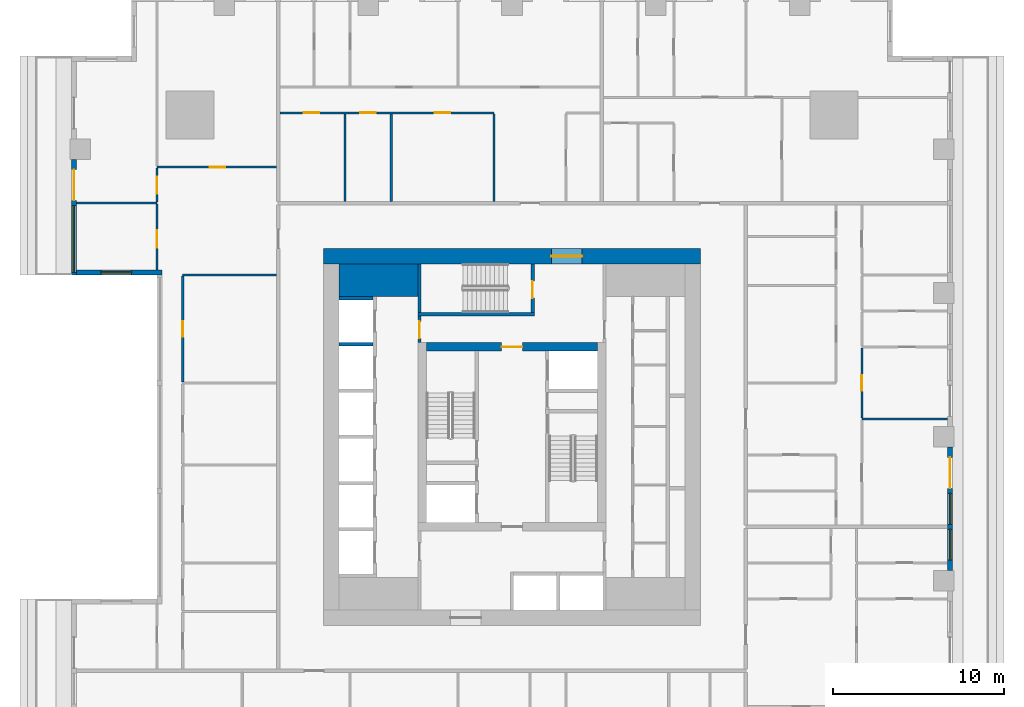
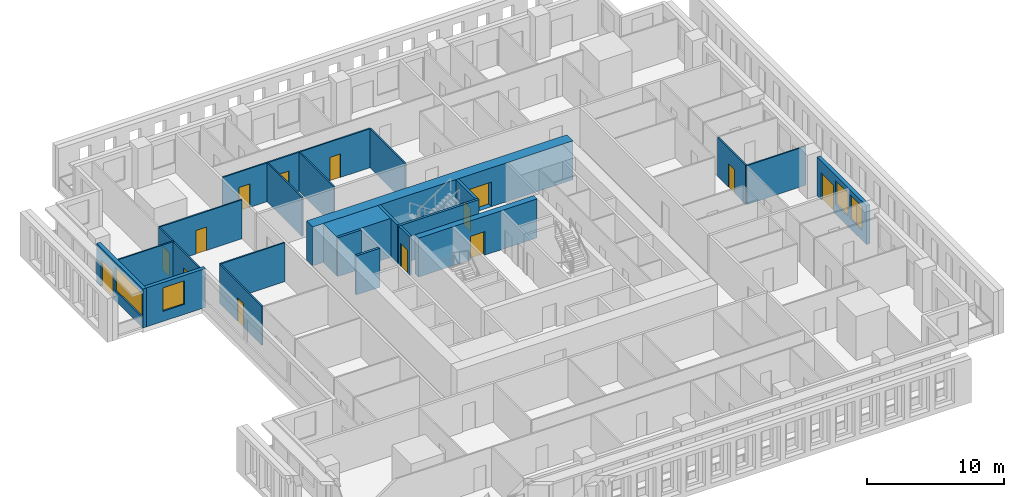
# One storey, part 6 of 14: 24 walls, 14 doors, 4 windows, 18 openings.
"""IFC4 building model written with IfcOpenShell, lengths in metres."""

import ifcopenshell
import ifcopenshell.guid

model = None  # the IFC model being written
_history = None  # IfcOwnerHistory: only IFC2X3 demands one
_inside = {}  # id of a spatial element -> (the spatial element, [elements in it])
_under = {}  # id of a project, library or spatial element -> (it, [spatial elements below it])
_declared = {}  # id of a project -> (the project, [libraries it declares])
_typed = {}  # id of a type object -> (the type object, [elements of that type])
_made_of = {}  # id of a material, layer set ... -> (it, [elements and type objects made of it])


def new_model(schema):
    """Start an empty IFC model of exactly this schema.

    Asked for "IFC4X3", IfcOpenShell would pick the latest addendum, in which some entities
    have other attributes; the version numbers below select the first issue.
    IFC2X3 requires an IfcOwnerHistory on every rooted entity: one is made here for all.
    """
    global model, _history
    if schema == "IFC4X3":
        model = ifcopenshell.file(schema_version=(4, 3, 0, 0))
    else:
        model = ifcopenshell.file(schema=schema)
    _inside.clear()
    _under.clear()
    _declared.clear()
    _typed.clear()
    _made_of.clear()
    _history = None
    if model.schema == "IFC2X3":
        org = make("IfcOrganization", Name="unknown")
        user = make(
            "IfcPersonAndOrganization",
            ThePerson=make("IfcPerson", FamilyName="unknown"),
            TheOrganization=org,
        )
        app = make(
            "IfcApplication",
            ApplicationDeveloper=org,
            Version="unknown",
            ApplicationFullName="unknown",
            ApplicationIdentifier="unknown",
        )
        _history = make(
            "IfcOwnerHistory",
            OwningUser=user,
            OwningApplication=app,
            ChangeAction="ADDED",
            CreationDate=0,
        )
    return model


def make(cls, **values):
    """One entity of the class cls with the attributes given. An attribute that is None is left unset."""
    return model.create_entity(
        cls, **{name: value for name, value in values.items() if value is not None}
    )


def rooted(cls, **values):
    """An entity with a GlobalId (a new one), such as an element, a storey or a relation."""
    return make(cls, GlobalId=ifcopenshell.guid.new(), OwnerHistory=_history, **values)


def si_unit(unit_type, name, prefix=None):
    """IfcSIUnit, for example si_unit("LENGTHUNIT", "METRE", prefix="MILLI")."""
    return make("IfcSIUnit", UnitType=unit_type, Prefix=prefix, Name=name)


def assignment(units):
    """IfcUnitAssignment: the units of a project."""
    return None if units is None else make("IfcUnitAssignment", Units=units)


def point(xyz):
    """IfcCartesianPoint."""
    return None if xyz is None else make("IfcCartesianPoint", Coordinates=xyz)


def direction(xyz):
    """IfcDirection."""
    return None if xyz is None else make("IfcDirection", DirectionRatios=xyz)


def frame(location, z_axis=None, x_axis=None):
    """IfcAxis2Placement3D, a coordinate frame: its origin and axes. An axis left out is left unset."""
    return make(
        "IfcAxis2Placement3D",
        Location=point(location),
        Axis=direction(z_axis),
        RefDirection=direction(x_axis),
    )


def frame_2d(location, x_axis=None):
    """IfcAxis2Placement2D, a coordinate frame in the plane: its origin and x axis."""
    return make(
        "IfcAxis2Placement2D", Location=point(location), RefDirection=direction(x_axis)
    )


def origin():
    """The frame at (0, 0, 0) with its axes left unset."""
    return frame((0.0, 0.0, 0.0))


def place(relative_to, where):
    """IfcLocalPlacement: puts the frame where relative to a parent placement (None: the world)."""
    return make(
        "IfcLocalPlacement", PlacementRelTo=relative_to, RelativePlacement=where
    )


def context(
    kind, dimensions, precision=None, world=None, true_north=None, identifier=None
):
    """IfcGeometricRepresentationContext, for example the 3D "Model" context."""
    return make(
        "IfcGeometricRepresentationContext",
        ContextIdentifier=identifier,
        ContextType=kind,
        CoordinateSpaceDimension=dimensions,
        Precision=precision,
        WorldCoordinateSystem=world,
        TrueNorth=true_north,
    )


def subcontext(parent, identifier, kind, view, scale=None):
    """IfcGeometricRepresentationSubContext, for example "Body" below "Model"."""
    return make(
        "IfcGeometricRepresentationSubContext",
        ContextIdentifier=identifier,
        ContextType=kind,
        ParentContext=parent,
        TargetScale=scale,
        TargetView=view,
    )


def project(units=None, contexts=None):
    """IfcProject with its units and contexts."""
    return rooted(
        "IfcProject",
        Name="project",
        RepresentationContexts=contexts,
        UnitsInContext=assignment(units),
    )


def spatial(cls, under=None, at=None, **own):
    """A site, building, storey or space (cls), placed at a placement, below another one or the project."""
    s = rooted(cls, ObjectPlacement=at, **own)
    if under is not None:
        _under.setdefault(under.id(), (under, []))[1].append(s)
    return s


def profile(cls, at=None, kind="AREA", **sizes):
    """A parametric profile (cls). Its sizes go by their IFC names, for example OverallWidth=200.0."""
    return make(cls, ProfileType=kind, Position=at, **sizes)


def rectangle(**sizes):
    """IfcRectangleProfileDef."""
    return profile("IfcRectangleProfileDef", **sizes)


def extrude(swept, where, along, depth):
    """IfcExtrudedAreaSolid: the profile swept, set in the frame where, extruded along a direction by depth."""
    return make(
        "IfcExtrudedAreaSolid",
        SweptArea=swept,
        Position=where,
        ExtrudedDirection=direction(along),
        Depth=depth,
    )


def shape(context_of_items, identifier, shape_type, items):
    """IfcShapeRepresentation: the items that make up one representation, for example the "Body"."""
    return make(
        "IfcShapeRepresentation",
        ContextOfItems=context_of_items,
        RepresentationIdentifier=identifier,
        RepresentationType=shape_type,
        Items=items,
    )


def material(Name=None, Category=None):
    """IfcMaterial."""
    return make("IfcMaterial", Name=Name, Category=Category)


def layer(
    of_material, thickness, ventilated=None, Name=None, Category=None, Priority=None
):
    """IfcMaterialLayer: one layer of a wall or slab, of a material (None: an air gap)."""
    return make(
        "IfcMaterialLayer",
        Material=of_material,
        LayerThickness=thickness,
        IsVentilated=ventilated,
        Name=Name,
        Category=Category,
        Priority=Priority,
    )


def layer_set(layers, Name=None):
    """IfcMaterialLayerSet."""
    return make("IfcMaterialLayerSet", MaterialLayers=layers, LayerSetName=Name)


def made_of(thing, what):
    """Note that an element or type object is made of a material, layer set ...; save() writes the relation."""
    if what is not None:
        _made_of.setdefault(what.id(), (what, []))[1].append(thing)
    return thing


def type_object(cls, material=None, **own):
    """A type object (cls), such as IfcWallType, which elements share."""
    return made_of(rooted(cls, **own), material)


def element(
    cls,
    number,
    at=None,
    inside=None,
    cuts=None,
    type_object=None,
    material=None,
    context=None,
    identifier="Body",
    shape_type=None,
    held_by="IfcProductDefinitionShape",
    body=None,
    shapes=None,
    **own,
):
    """One element of the class cls, such as IfcWall. Its Tag is "e" and its number.

    at: its placement. inside: the storey or other place that contains it. cuts: it is an
    opening in that element (IfcRelVoidsElement). A single representation is given by context,
    identifier, shape_type and body (its items); several are given by shapes. held_by: the class
    of the entity that holds the representations. save() writes the other relations.
    """
    e = rooted(cls, Tag="e%d" % number, ObjectPlacement=at, **own)
    if body is not None:
        shapes = [shape(context, identifier, shape_type, body)]
    if shapes is not None:
        e.Representation = make(held_by, Representations=shapes)
    if inside is not None:
        _inside.setdefault(inside.id(), (inside, []))[1].append(e)
    if cuts is not None:
        rooted(
            "IfcRelVoidsElement", RelatingBuildingElement=cuts, RelatedOpeningElement=e
        )
    if type_object is not None:
        _typed.setdefault(type_object.id(), (type_object, []))[1].append(e)
    return made_of(e, material)


def fill(opening, filler):
    """IfcRelFillsElement: the door or window that sits in an opening."""
    return rooted(
        "IfcRelFillsElement",
        RelatingOpeningElement=opening,
        RelatedBuildingElement=filler,
    )


def aggregate(whole, parts):
    """IfcRelAggregates: a whole, such as a stair, and the parts it consists of."""
    return rooted("IfcRelAggregates", RelatingObject=whole, RelatedObjects=parts)


def save(model, path):
    """Write the relations noted so far, then the file.

    IfcRelAggregates (storeys below a building ...), IfcRelContainedInSpatialStructure (elements
    in a storey), IfcRelDefinesByType, IfcRelAssociatesMaterial and IfcRelDeclares: one each for
    every whole, place, type object, material and project.
    """
    for whole, parts in _under.values():
        aggregate(whole, parts)
    for where, things in _inside.values():
        rooted(
            "IfcRelContainedInSpatialStructure",
            RelatedElements=things,
            RelatingStructure=where,
        )
    for kind, things in _typed.values():
        rooted("IfcRelDefinesByType", RelatedObjects=things, RelatingType=kind)
    for what, things in _made_of.values():
        rooted("IfcRelAssociatesMaterial", RelatedObjects=things, RelatingMaterial=what)
    for by, libraries in _declared.values():
        rooted("IfcRelDeclares", RelatingContext=by, RelatedDefinitions=libraries)
    model.write(path)


model = new_model("IFC4")

# Units and contexts
model_context = context("Model", 3, precision=1e-05, world=origin(), true_north=direction((0.0, 1.0)))
body_context = subcontext(model_context, "Body", "Model", "MODEL_VIEW")
ifc_project = project(units=[si_unit("LENGTHUNIT", "METRE"), si_unit("AREAUNIT", "SQUARE_METRE"), si_unit("VOLUMEUNIT", "CUBIC_METRE"), si_unit("PLANEANGLEUNIT", "RADIAN"), si_unit("MASSUNIT", "GRAM", prefix="KILO")], contexts=[model_context])

# Site, building, storey
site_placement = place(None, origin())
site = spatial("IfcSite", under=ifc_project, at=site_placement, CompositionType="ELEMENT")
building_placement = place(site_placement, origin())
building = spatial("IfcBuilding", under=site, at=building_placement, Name="Khepri Terraces", CompositionType="ELEMENT")
storey_placement = place(building_placement, frame((0.0, 0.0, 106.5)))
storey = spatial("IfcBuildingStorey", under=building, at=storey_placement, Name="L25", CompositionType="ELEMENT", Elevation=106.5)

# Walls
ifc_material_1 = material(Name="Concrete C70/85", Category="concrete")
ifc_layer_1 = layer(ifc_material_1, 1.89990234375, Name="Concrete C70/85", Category="concrete")
ifc_layer_set_1 = layer_set([ifc_layer_1], Name="Concrete C70/85")
wall_type_1 = type_object("IfcWallType", Name="Core wall 1900 C70/85", PredefinedType="SHEAR", material=ifc_layer_set_1)
wall_1_placement = place(storey_placement, frame((-10.10009765625, 9.14990234375, 0.0), z_axis=(0.0, 0.0, 1.0), x_axis=(1.0, 0.0, 0.0)))
element("IfcWall", 1, at=wall_1_placement, inside=storey, type_object=wall_type_1, Name="Core wall PR03 L25", PredefinedType="SHEAR", context=body_context, shape_type="SweptSolid", body=[
    extrude(rectangle(XDim=4.60009765625, YDim=1.89990234375, at=frame_2d((2.300048828125, 0.0))), origin(), (0.0, 0.0, 1.0), 3.47998046875),
])
ifc_layer_2 = layer(ifc_material_1, 0.199951171875, Name="Concrete C70/85", Category="concrete")
ifc_layer_set_2 = layer_set([ifc_layer_2], Name="Concrete C70/85")
wall_type_2 = type_object("IfcWallType", Name="Core wall 200 C70/85", PredefinedType="SHEAR", material=ifc_layer_set_2)
wall_2_placement = place(storey_placement, frame((-5.5, 7.14990234375, 0.0), z_axis=(0.0, 0.0, 1.0), x_axis=(1.0, 0.0, 0.0)))
element("IfcWall", 2, at=wall_2_placement, inside=storey, type_object=wall_type_2, Name="Core wall ST05 L25", PredefinedType="SHEAR", context=body_context, shape_type="SweptSolid", body=[
    extrude(rectangle(XDim=6.800048828125, YDim=0.199951171875, at=frame_2d((3.39990234375, 0.0))), origin(), (0.0, 0.0, 1.0), 3.47998046875),
])
wall_3_placement = place(storey_placement, frame((-5.39990234375, 7.25, 0.0), z_axis=(0.0, 0.0, 1.0), x_axis=(0.0, 1.0, 0.0)))
element("IfcWall", 3, at=wall_3_placement, inside=storey, type_object=wall_type_2, Name="Core wall ST06 L25", PredefinedType="SHEAR", context=body_context, shape_type="SweptSolid", body=[
    extrude(rectangle(XDim=2.85009765625, YDim=0.199951171875, at=frame_2d((1.425048828125, 0.0))), origin(), (0.0, 0.0, 1.0), 3.47998046875),
])

# Wall, opening, door
wall_4_placement = place(storey_placement, frame((1.199951171875, 7.25, 0.0), z_axis=(0.0, 0.0, 1.0), x_axis=(0.0, 1.0, 0.0)))
wall_4 = element("IfcWall", 4, at=wall_4_placement, inside=storey, type_object=wall_type_2, Name="Core wall ST07 L25", PredefinedType="SHEAR", context=body_context, shape_type="SweptSolid", body=[
    extrude(rectangle(XDim=2.85009765625, YDim=0.199951171875, at=frame_2d((1.425048828125, 0.0))), origin(), (0.0, 0.0, 1.0), 3.47998046875),
])
opening_1_placement = place(wall_4_placement, frame((0.85009765625, 0.0, 0.0)))
opening_1 = element("IfcOpeningElement", 5, at=opening_1_placement, cuts=wall_4, Name="Opening L25-C15", PredefinedType="OPENING", context=body_context, shape_type="SweptSolid", body=[
    extrude(rectangle(XDim=1.0, YDim=2.10009765625, at=frame_2d((0.5, 1.050048828125))), frame((0.0, 0.10986328125, 0.0), z_axis=(0.0, -1.0, 0.0), x_axis=(1.0, 0.0, 0.0)), (0.0, 0.0, 1.0), 0.219970703125),
])
ifc_material_2 = material(Name="Painted steel", Category="steel")
door_type_1 = type_object("IfcDoorType", Name="DR-CORE-STAIR-1000", OperationType="NOTDEFINED", PredefinedType="DOOR", material=ifc_material_2)
door_1_placement = place(opening_1_placement, origin())
door_1 = element("IfcDoor", 6, at=door_1_placement, inside=storey, type_object=door_type_1, Name="Stair door L25-C15", OperationType="SINGLE_SWING_LEFT", OverallHeight=2.10009765625, OverallWidth=1.0, PredefinedType="DOOR", context=body_context, shape_type="SweptSolid", body=[
    extrude(rectangle(XDim=1.0, YDim=2.10009765625, at=frame_2d((0.5, 1.050048828125))), frame((0.0, 0.02490234375, 0.0), z_axis=(0.0, -1.0, 0.0), x_axis=(1.0, 0.0, 0.0)), (0.0, 0.0, 1.0), 0.050048828125),
])
fill(opening_1, door_1)

# Walls
for number, where, z_axis, x_axis, name in (
    (7, (-10.10009765625, 5.39990234375, 0.0), (0.0, 0.0, 1.0), (1.0, 0.0, 0.0), "Core wall SH19 L25"),
    (8, (-10.10009765625, 8.10009765625, 0.0), (0.0, 0.0, 1.0), (1.0, 0.0, 0.0), "Core wall SH20 L25"),
):
    element("IfcWall", number, at=place(storey_placement, frame(where, z_axis=z_axis, x_axis=x_axis)), inside=storey, type_object=wall_type_2, Name=name, PredefinedType="SHEAR", context=body_context, shape_type="SweptSolid", body=[
        extrude(rectangle(XDim=2.0, YDim=0.199951171875, at=frame_2d((1.0, 0.0))), origin(), (0.0, 0.0, 1.0), 3.47998046875),
    ])

# Wall, opening, door
ifc_layer_3 = layer(ifc_material_1, 0.5, Name="Concrete C70/85", Category="concrete")
ifc_layer_set_3 = layer_set([ifc_layer_3], Name="Concrete C70/85")
wall_type_3 = type_object("IfcWallType", Name="Core wall 500 C70/85", PredefinedType="SHEAR", material=ifc_layer_set_3)
wall_5_placement = place(storey_placement, frame((-5.0, 5.25, 0.0), z_axis=(0.0, 0.0, 1.0), x_axis=(1.0, 0.0, 0.0)))
wall_5 = element("IfcWall", 9, at=wall_5_placement, inside=storey, type_object=wall_type_3, Name="Core wall BX04 L25", PredefinedType="SHEAR", context=body_context, shape_type="SweptSolid", body=[
    extrude(rectangle(XDim=10.0, YDim=0.5, at=frame_2d((5.0, 0.0))), origin(), (0.0, 0.0, 1.0), 3.47998046875),
])
opening_2_placement = place(wall_5_placement, frame((4.39990234375, 0.0, 0.0)))
opening_2 = element("IfcOpeningElement", 10, at=opening_2_placement, cuts=wall_5, Name="Opening L25-C13", PredefinedType="OPENING", context=body_context, shape_type="SweptSolid", body=[
    extrude(rectangle(XDim=1.199951171875, YDim=2.10009765625, at=frame_2d((0.60009765625, 1.050048828125))), frame((0.0, 0.260009765625, 0.0), z_axis=(0.0, -1.0, 0.0), x_axis=(1.0, 0.0, 0.0)), (0.0, 0.0, 1.0), 0.52001953125),
])
door_type_2 = type_object("IfcDoorType", Name="DR-CORE-FF-LOBBY-1200", OperationType="NOTDEFINED", PredefinedType="DOOR", material=ifc_material_2)
door_2_placement = place(opening_2_placement, frame((1.199951171875, 0.0, 0.0), z_axis=(0.0, 0.0, 1.0), x_axis=(-1.0, 0.0, 0.0)))
door_2 = element("IfcDoor", 11, at=door_2_placement, inside=storey, type_object=door_type_2, Name="Firefighting lobby door L25-C13", OperationType="SINGLE_SWING_LEFT", OverallHeight=2.10009765625, OverallWidth=1.199951171875, PredefinedType="DOOR", context=body_context, shape_type="SweptSolid", body=[
    extrude(rectangle(XDim=1.199951171875, YDim=2.10009765625, at=frame_2d((0.60009765625, 1.050048828125))), frame((0.0, 0.02490234375, 0.0), z_axis=(0.0, -1.0, 0.0), x_axis=(1.0, 0.0, 0.0)), (0.0, 0.0, 1.0), 0.050048828125),
])
fill(opening_2, door_2)

ifc_layer_4 = layer(ifc_material_1, 0.89990234375, Name="Concrete C70/85", Category="concrete")
ifc_layer_set_4 = layer_set([ifc_layer_4], Name="Concrete C70/85")
wall_type_4 = type_object("IfcWallType", Name="Core wall 900 C70/85", PredefinedType="SHEAR", material=ifc_layer_set_4)
wall_6_placement = place(storey_placement, frame((-11.0, 10.550048828125, 0.0), z_axis=(0.0, 0.0, 1.0), x_axis=(1.0, 0.0, 0.0)))
wall_6 = element("IfcWall", 12, at=wall_6_placement, inside=storey, type_object=wall_type_4, Name="Core wall OW-N L25", PredefinedType="SHEAR", context=body_context, shape_type="SweptSolid", body=[
    extrude(rectangle(XDim=22.0, YDim=0.89990234375, at=frame_2d((11.0, 0.0))), origin(), (0.0, 0.0, 1.0), 3.47998046875),
])
opening_3_placement = place(wall_6_placement, frame((13.300048828125, 0.0, 0.0)))
opening_3 = element("IfcOpeningElement", 13, at=opening_3_placement, cuts=wall_6, Name="Opening L25-C20", PredefinedType="OPENING", context=body_context, shape_type="SweptSolid", body=[
    extrude(rectangle(XDim=1.800048828125, YDim=2.199951171875, at=frame_2d((0.89990234375, 1.10009765625))), frame((0.0, 0.4599609375, 0.0), z_axis=(0.0, -1.0, 0.0), x_axis=(1.0, 0.0, 0.0)), (0.0, 0.0, 1.0), 0.919921875),
])
door_type_3 = type_object("IfcDoorType", Name="DR-CORE-ENTRANCE-1800", OperationType="NOTDEFINED", PredefinedType="DOOR", material=ifc_material_2)
door_3_placement = place(opening_3_placement, origin())
door_3 = element("IfcDoor", 14, at=door_3_placement, inside=storey, type_object=door_type_3, Name="Core entrance door pair L25-C20", OperationType="DOUBLE_DOOR_SINGLE_SWING", OverallHeight=2.199951171875, OverallWidth=1.800048828125, PredefinedType="DOOR", context=body_context, shape_type="SweptSolid", body=[
    extrude(rectangle(XDim=1.800048828125, YDim=2.199951171875, at=frame_2d((0.89990234375, 1.10009765625))), frame((0.0, 0.02490234375, 0.0), z_axis=(0.0, -1.0, 0.0), x_axis=(1.0, 0.0, 0.0)), (0.0, 0.0, 1.0), 0.050048828125),
])
fill(opening_3, door_3)

ifc_material_3 = material(Name="Fire-rated gypsum board partition")
ifc_layer_5 = layer(ifc_material_3, 0.199951171875, Name="Fire-rated gypsum board partition")
ifc_layer_set_5 = layer_set([ifc_layer_5], Name="Fire-rated gypsum board partition")
wall_type_5 = type_object("IfcWallType", Name="WL-CORE-PART-200", PredefinedType="PARTITIONING", material=ifc_layer_set_5)
wall_7_placement = place(storey_placement, frame((-5.39990234375, 5.5, 0.0), z_axis=(0.0, 0.0, 1.0), x_axis=(0.0, 1.0, 0.0)))
wall_7 = element("IfcWall", 15, at=wall_7_placement, inside=storey, type_object=wall_type_5, Name="Core partition PT08 L25", PredefinedType="PARTITIONING", context=body_context, shape_type="SweptSolid", body=[
    extrude(rectangle(XDim=1.550048828125, YDim=0.199951171875, at=frame_2d((0.77490234375, 0.0))), origin(), (0.0, 0.0, 1.0), 3.47998046875),
])
opening_4_placement = place(wall_7_placement, frame((0.25, 0.0, 0.0)))
opening_4 = element("IfcOpeningElement", 16, at=opening_4_placement, cuts=wall_7, Name="Opening L25-C16", PredefinedType="OPENING", context=body_context, shape_type="SweptSolid", body=[
    extrude(rectangle(XDim=1.0, YDim=2.10009765625, at=frame_2d((0.5, 1.050048828125))), frame((0.0, 0.10986328125, 0.0), z_axis=(0.0, -1.0, 0.0), x_axis=(1.0, 0.0, 0.0)), (0.0, 0.0, 1.0), 0.219970703125),
])
door_type_4 = type_object("IfcDoorType", Name="DR-CORE-LOBBY-1000", OperationType="NOTDEFINED", PredefinedType="DOOR", material=ifc_material_2)
door_4_placement = place(opening_4_placement, frame((1.0, 0.0, 0.0), z_axis=(0.0, 0.0, 1.0), x_axis=(-1.0, 0.0, 0.0)))
door_4 = element("IfcDoor", 17, at=door_4_placement, inside=storey, type_object=door_type_4, Name="Lobby door L25-C16", OperationType="SINGLE_SWING_RIGHT", OverallHeight=2.10009765625, OverallWidth=1.0, PredefinedType="DOOR", context=body_context, shape_type="SweptSolid", body=[
    extrude(rectangle(XDim=1.0, YDim=2.10009765625, at=frame_2d((0.5, 1.050048828125))), frame((0.0, 0.02490234375, 0.0), z_axis=(0.0, -1.0, 0.0), x_axis=(1.0, 0.0, 0.0)), (0.0, 0.0, 1.0), 0.050048828125),
])
fill(opening_4, door_4)

# Wall, openings, door, windows
ifc_material_4 = material(Name="Precast concrete C50/60 warm stone", Category="masonry")
ifc_layer_6 = layer(ifc_material_4, 0.300048828125, Name="Precast concrete C50/60 warm stone", Category="masonry")
ifc_layer_set_6 = layer_set([ifc_layer_6], Name="Precast concrete C50/60 warm stone")
wall_type_6 = type_object("IfcWallType", Name="WL-EXT-PRECAST-300", PredefinedType="STANDARD", material=ifc_layer_set_6)
wall_8_placement = place(storey_placement, frame((25.570068359375, -7.800048828125, 0.0), z_axis=(0.0, 0.0, 1.0), x_axis=(0.0, 1.0, 0.0)))
wall_8 = element("IfcWall", 18, at=wall_8_placement, inside=storey, type_object=wall_type_6, Name="External wall L25 E", PredefinedType="STANDARD", context=body_context, shape_type="SweptSolid", body=[
    extrude(rectangle(XDim=7.199951171875, YDim=0.300048828125, at=frame_2d((3.60009765625, 0.0))), origin(), (0.0, 0.0, 1.0), 3.47998046875),
])
opening_5_placement = place(wall_8_placement, frame((0.60009765625, 0.0, 0.89990234375)))
opening_5 = element("IfcOpeningElement", 19, at=opening_5_placement, cuts=wall_8, Name="Opening W1", PredefinedType="OPENING", context=body_context, shape_type="SweptSolid", body=[
    extrude(rectangle(XDim=1.800048828125, YDim=2.10009765625, at=frame_2d((0.89990234375, 1.050048828125))), frame((0.0, 0.16015625, 0.0), z_axis=(0.0, -1.0, 0.0), x_axis=(1.0, 0.0, 0.0)), (0.0, 0.0, 1.0), 0.320068359375),
])
opening_6_placement = place(wall_8_placement, frame((2.699951171875, 0.0, 0.89990234375)))
opening_6 = element("IfcOpeningElement", 20, at=opening_6_placement, cuts=wall_8, Name="Opening W1", PredefinedType="OPENING", context=body_context, shape_type="SweptSolid", body=[
    extrude(rectangle(XDim=1.800048828125, YDim=2.10009765625, at=frame_2d((0.89990234375, 1.050048828125))), frame((0.0, 0.16015625, 0.0), z_axis=(0.0, -1.0, 0.0), x_axis=(1.0, 0.0, 0.0)), (0.0, 0.0, 1.0), 0.320068359375),
])
opening_7_placement = place(wall_8_placement, frame((4.800048828125, 0.0, 0.0)))
opening_7 = element("IfcOpeningElement", 21, at=opening_7_placement, cuts=wall_8, Name="Opening ED-L25-04", PredefinedType="OPENING", context=body_context, shape_type="SweptSolid", body=[
    extrude(rectangle(XDim=1.800048828125, YDim=2.39990234375, at=frame_2d((0.89990234375, 1.199951171875))), frame((0.0, 0.16015625, 0.0), z_axis=(0.0, -1.0, 0.0), x_axis=(1.0, 0.0, 0.0)), (0.0, 0.0, 1.0), 0.320068359375),
])
ifc_material_5 = material(Name="Anodised aluminium bronze glazed door", Category="aluminium")
door_type_5 = type_object("IfcDoorType", Name="DR-BAL-SLIDE-1800x2400", OperationType="NOTDEFINED", PredefinedType="DOOR", material=ifc_material_5)
door_5_placement = place(opening_7_placement, origin())
door_5 = element("IfcDoor", 22, at=door_5_placement, inside=storey, type_object=door_type_5, Name="Balcony door L25 E", OperationType="SLIDING_TO_RIGHT", OverallHeight=2.39990234375, OverallWidth=1.800048828125, PredefinedType="DOOR", context=body_context, shape_type="SweptSolid", body=[
    extrude(rectangle(XDim=1.800048828125, YDim=2.39990234375, at=frame_2d((0.89990234375, 1.199951171875))), frame((0.0, 0.02490234375, 0.0), z_axis=(0.0, -1.0, 0.0), x_axis=(1.0, 0.0, 0.0)), (0.0, 0.0, 1.0), 0.050048828125),
])
fill(opening_7, door_5)
ifc_material_6 = material(Name="Clear glass", Category="glass")
window_type_1 = type_object("IfcWindowType", Name="WIN-RES-1800x2100", PartitioningType="SINGLE_PANEL", PredefinedType="WINDOW", material=ifc_material_6)
window_1_placement = place(opening_5_placement, origin())
window_1 = element("IfcWindow", 23, at=window_1_placement, inside=storey, type_object=window_type_1, Name="Window L25 E", OverallHeight=2.10009765625, OverallWidth=1.800048828125, PartitioningType="SINGLE_PANEL", PredefinedType="WINDOW", context=body_context, shape_type="SweptSolid", body=[
    extrude(rectangle(XDim=1.800048828125, YDim=2.10009765625, at=frame_2d((0.89990234375, 1.050048828125))), frame((0.0, 0.030029296875, 0.0), z_axis=(0.0, -1.0, 0.0), x_axis=(1.0, 0.0, 0.0)), (0.0, 0.0, 1.0), 0.06005859375),
])
fill(opening_5, window_1)
window_2_placement = place(opening_6_placement, origin())
window_2 = element("IfcWindow", 24, at=window_2_placement, inside=storey, type_object=window_type_1, Name="Window L25 E", OverallHeight=2.10009765625, OverallWidth=1.800048828125, PartitioningType="SINGLE_PANEL", PredefinedType="WINDOW", context=body_context, shape_type="SweptSolid", body=[
    extrude(rectangle(XDim=1.800048828125, YDim=2.10009765625, at=frame_2d((0.89990234375, 1.050048828125))), frame((0.0, 0.030029296875, 0.0), z_axis=(0.0, -1.0, 0.0), x_axis=(1.0, 0.0, 0.0)), (0.0, 0.0, 1.0), 0.06005859375),
])
fill(opening_6, window_2)

# Wall, openings, door, window
wall_9_placement = place(storey_placement, frame((-25.570068359375, 16.199951171875, 0.0), z_axis=(0.0, 0.0, 1.0), x_axis=(0.0, -1.0, 0.0)))
wall_9 = element("IfcWall", 25, at=wall_9_placement, inside=storey, type_object=wall_type_6, Name="External wall L25 W", PredefinedType="STANDARD", context=body_context, shape_type="SweptSolid", body=[
    extrude(rectangle(XDim=6.75, YDim=0.300048828125, at=frame_2d((3.375, 0.0))), origin(), (0.0, 0.0, 1.0), 3.47998046875),
])
opening_8_placement = place(wall_9_placement, frame((0.60009765625, 0.0, 0.0)))
opening_8 = element("IfcOpeningElement", 26, at=opening_8_placement, cuts=wall_9, Name="Opening ED-L25-14", PredefinedType="OPENING", context=body_context, shape_type="SweptSolid", body=[
    extrude(rectangle(XDim=1.800048828125, YDim=2.39990234375, at=frame_2d((0.89990234375, 1.199951171875))), frame((0.0, 0.16015625, 0.0), z_axis=(0.0, -1.0, 0.0), x_axis=(1.0, 0.0, 0.0)), (0.0, 0.0, 1.0), 0.320068359375),
])
opening_9_placement = place(wall_9_placement, frame((2.699951171875, 0.0, 0.89990234375)))
opening_9 = element("IfcOpeningElement", 27, at=opening_9_placement, cuts=wall_9, Name="Opening W2", PredefinedType="OPENING", context=body_context, shape_type="SweptSolid", body=[
    extrude(rectangle(XDim=3.89990234375, YDim=2.10009765625, at=frame_2d((1.949951171875, 1.050048828125))), frame((0.0, 0.16015625, 0.0), z_axis=(0.0, -1.0, 0.0), x_axis=(1.0, 0.0, 0.0)), (0.0, 0.0, 1.0), 0.320068359375),
])
door_6_placement = place(opening_8_placement, origin())
door_6 = element("IfcDoor", 28, at=door_6_placement, inside=storey, type_object=door_type_5, Name="Balcony door L25 W", OperationType="SLIDING_TO_LEFT", OverallHeight=2.39990234375, OverallWidth=1.800048828125, PredefinedType="DOOR", context=body_context, shape_type="SweptSolid", body=[
    extrude(rectangle(XDim=1.800048828125, YDim=2.39990234375, at=frame_2d((0.89990234375, 1.199951171875))), frame((0.0, 0.02490234375, 0.0), z_axis=(0.0, -1.0, 0.0), x_axis=(1.0, 0.0, 0.0)), (0.0, 0.0, 1.0), 0.050048828125),
])
fill(opening_8, door_6)
window_type_2 = type_object("IfcWindowType", Name="WIN-RES-3900x2100", PartitioningType="SINGLE_PANEL", PredefinedType="WINDOW", material=ifc_material_6)
window_3_placement = place(opening_9_placement, origin())
window_3 = element("IfcWindow", 29, at=window_3_placement, inside=storey, type_object=window_type_2, Name="Window L25 W", OverallHeight=2.10009765625, OverallWidth=3.89990234375, PartitioningType="SINGLE_PANEL", PredefinedType="WINDOW", context=body_context, shape_type="SweptSolid", body=[
    extrude(rectangle(XDim=3.89990234375, YDim=2.10009765625, at=frame_2d((1.949951171875, 1.050048828125))), frame((0.0, 0.030029296875, 0.0), z_axis=(0.0, -1.0, 0.0), x_axis=(1.0, 0.0, 0.0)), (0.0, 0.0, 1.0), 0.06005859375),
])
fill(opening_9, window_3)

# Wall, opening, window
wall_10_placement = place(storey_placement, frame((-25.419921875, 9.60009765625, 0.0), z_axis=(0.0, 0.0, 1.0), x_axis=(1.0, 0.0, 0.0)))
wall_10 = element("IfcWall", 30, at=wall_10_placement, inside=storey, type_object=wall_type_6, Name="External wall L25 S", PredefinedType="STANDARD", context=body_context, shape_type="SweptSolid", body=[
    extrude(rectangle(XDim=5.0, YDim=0.300048828125, at=frame_2d((2.5, 0.0))), origin(), (0.0, 0.0, 1.0), 3.47998046875),
])
opening_10_placement = place(wall_10_placement, frame((1.419921875, 0.0, 0.89990234375)))
opening_10 = element("IfcOpeningElement", 31, at=opening_10_placement, cuts=wall_10, Name="Opening W1", PredefinedType="OPENING", context=body_context, shape_type="SweptSolid", body=[
    extrude(rectangle(XDim=1.800048828125, YDim=2.10009765625, at=frame_2d((0.89990234375, 1.050048828125))), frame((0.0, 0.16015625, 0.0), z_axis=(0.0, -1.0, 0.0), x_axis=(1.0, 0.0, 0.0)), (0.0, 0.0, 1.0), 0.320068359375),
])
window_4_placement = place(opening_10_placement, origin())
window_4 = element("IfcWindow", 32, at=window_4_placement, inside=storey, type_object=window_type_1, Name="Window L25 S", OverallHeight=2.10009765625, OverallWidth=1.800048828125, PartitioningType="SINGLE_PANEL", PredefinedType="WINDOW", context=body_context, shape_type="SweptSolid", body=[
    extrude(rectangle(XDim=1.800048828125, YDim=2.10009765625, at=frame_2d((0.89990234375, 1.050048828125))), frame((0.0, 0.030029296875, 0.0), z_axis=(0.0, -1.0, 0.0), x_axis=(1.0, 0.0, 0.0)), (0.0, 0.0, 1.0), 0.06005859375),
])
fill(opening_10, window_4)

# Wall
ifc_material_7 = material(Name="Gypsum plasterboard partition")
ifc_layer_7 = layer(ifc_material_7, 0.1201171875, Name="Gypsum plasterboard partition")
ifc_layer_set_7 = layer_set([ifc_layer_7], Name="Gypsum plasterboard partition")
wall_type_7 = type_object("IfcWallType", Name="WL-PART-120", PredefinedType="PARTITIONING", material=ifc_layer_set_7)
wall_11_placement = place(storey_placement, frame((20.419921875, 1.050048828125, 0.0), z_axis=(0.0, 0.0, 1.0), x_axis=(1.0, 0.0, 0.0)))
element("IfcWall", 33, at=wall_11_placement, inside=storey, type_object=wall_type_7, Name="Partition P-049 L25", PredefinedType="PARTITIONING", context=body_context, shape_type="SweptSolid", body=[
    extrude(rectangle(XDim=5.0, YDim=0.1201171875, at=frame_2d((2.5, 0.0))), origin(), (0.0, 0.0, 1.0), 3.47998046875),
])

# Wall, opening, door
wall_12_placement = place(storey_placement, frame((20.419921875, 1.110107421875, 0.0), z_axis=(0.0, 0.0, 1.0), x_axis=(0.0, 1.0, 0.0)))
wall_12 = element("IfcWall", 34, at=wall_12_placement, inside=storey, type_object=wall_type_7, Name="Partition P-050 L25", PredefinedType="PARTITIONING", context=body_context, shape_type="SweptSolid", body=[
    extrude(rectangle(XDim=4.079833984375, YDim=0.1201171875, at=frame_2d((2.0400390625, 0.0))), origin(), (0.0, 0.0, 1.0), 3.47998046875),
])
opening_11_placement = place(wall_12_placement, frame((1.590087890625, 0.0, 0.0)))
opening_11 = element("IfcOpeningElement", 35, at=opening_11_placement, cuts=wall_12, Name="Opening D3", PredefinedType="OPENING", context=body_context, shape_type="SweptSolid", body=[
    extrude(rectangle(XDim=0.89990234375, YDim=2.10009765625, at=frame_2d((0.449951171875, 1.050048828125))), frame((0.0, 0.070068359375, 0.0), z_axis=(0.0, -1.0, 0.0), x_axis=(1.0, 0.0, 0.0)), (0.0, 0.0, 1.0), 0.14013671875),
])
ifc_material_8 = material(Name="Timber door leaf", Category="wood")
door_type_6 = type_object("IfcDoorType", Name="DR-INT-900", OperationType="NOTDEFINED", PredefinedType="DOOR", material=ifc_material_8)
door_7_placement = place(opening_11_placement, frame((0.89990234375, 0.0, 0.0), z_axis=(0.0, 0.0, 1.0), x_axis=(-1.0, 0.0, 0.0)))
door_7 = element("IfcDoor", 36, at=door_7_placement, inside=storey, type_object=door_type_6, Name="Door Master Bedroom", OperationType="SINGLE_SWING_LEFT", OverallHeight=2.10009765625, OverallWidth=0.89990234375, PredefinedType="DOOR", context=body_context, shape_type="SweptSolid", body=[
    extrude(rectangle(XDim=0.89990234375, YDim=2.10009765625, at=frame_2d((0.449951171875, 1.050048828125))), frame((0.0, 0.02490234375, 0.0), z_axis=(0.0, -1.0, 0.0), x_axis=(1.0, 0.0, 0.0)), (0.0, 0.0, 1.0), 0.050048828125),
])
fill(opening_11, door_7)

wall_13_placement = place(storey_placement, frame((-19.219970703125, 3.2099609375, 0.0), z_axis=(0.0, 0.0, 1.0), x_axis=(0.0, 1.0, 0.0)))
wall_13 = element("IfcWall", 37, at=wall_13_placement, inside=storey, type_object=wall_type_7, Name="Partition P-053 L25", PredefinedType="PARTITIONING", context=body_context, shape_type="SweptSolid", body=[
    extrude(rectangle(XDim=6.179931640625, YDim=0.1201171875, at=frame_2d((3.08984375, 0.0))), origin(), (0.0, 0.0, 1.0), 3.47998046875),
])
opening_12_placement = place(wall_13_placement, frame((2.639892578125, 0.0, 0.0)))
opening_12 = element("IfcOpeningElement", 38, at=opening_12_placement, cuts=wall_13, Name="Opening D3", PredefinedType="OPENING", context=body_context, shape_type="SweptSolid", body=[
    extrude(rectangle(XDim=0.89990234375, YDim=2.10009765625, at=frame_2d((0.449951171875, 1.050048828125))), frame((0.0, 0.070068359375, 0.0), z_axis=(0.0, -1.0, 0.0), x_axis=(1.0, 0.0, 0.0)), (0.0, 0.0, 1.0), 0.14013671875),
])
door_8_placement = place(opening_12_placement, frame((0.89990234375, 0.0, 0.0), z_axis=(0.0, 0.0, 1.0), x_axis=(-1.0, 0.0, 0.0)))
door_8 = element("IfcDoor", 39, at=door_8_placement, inside=storey, type_object=door_type_6, Name="Door Kitchen", OperationType="SINGLE_SWING_RIGHT", OverallHeight=2.10009765625, OverallWidth=0.89990234375, PredefinedType="DOOR", context=body_context, shape_type="SweptSolid", body=[
    extrude(rectangle(XDim=0.89990234375, YDim=2.10009765625, at=frame_2d((0.449951171875, 1.050048828125))), frame((0.0, 0.02490234375, 0.0), z_axis=(0.0, -1.0, 0.0), x_axis=(1.0, 0.0, 0.0)), (0.0, 0.0, 1.0), 0.050048828125),
])
fill(opening_12, door_8)

wall_14_placement = place(storey_placement, frame((-20.719970703125, 9.75, 0.0), z_axis=(0.0, 0.0, 1.0), x_axis=(0.0, 1.0, 0.0)))
wall_14 = element("IfcWall", 40, at=wall_14_placement, inside=storey, type_object=wall_type_7, Name="Partition P-061 L25", PredefinedType="PARTITIONING", context=body_context, shape_type="SweptSolid", body=[
    extrude(rectangle(XDim=3.840087890625, YDim=0.1201171875, at=frame_2d((1.919921875, 0.0))), origin(), (0.0, 0.0, 1.0), 3.47998046875),
])
opening_13_placement = place(wall_14_placement, frame((1.300048828125, 0.0, 0.0)))
opening_13 = element("IfcOpeningElement", 41, at=opening_13_placement, cuts=wall_14, Name="Opening D2", PredefinedType="OPENING", context=body_context, shape_type="SweptSolid", body=[
    extrude(rectangle(XDim=1.0, YDim=2.10009765625, at=frame_2d((0.5, 1.050048828125))), frame((0.0, 0.070068359375, 0.0), z_axis=(0.0, -1.0, 0.0), x_axis=(1.0, 0.0, 0.0)), (0.0, 0.0, 1.0), 0.14013671875),
])
ifc_material_9 = material(Name="Timber door leaf, living room door", Category="wood")
door_type_7 = type_object("IfcDoorType", Name="DR-INT-1000", OperationType="NOTDEFINED", PredefinedType="DOOR", material=ifc_material_9)
door_9_placement = place(opening_13_placement, origin())
door_9 = element("IfcDoor", 42, at=door_9_placement, inside=storey, type_object=door_type_7, Name="Door Dining Room", OperationType="SINGLE_SWING_LEFT", OverallHeight=2.10009765625, OverallWidth=1.0, PredefinedType="DOOR", context=body_context, shape_type="SweptSolid", body=[
    extrude(rectangle(XDim=1.0, YDim=2.10009765625, at=frame_2d((0.5, 1.050048828125))), frame((0.0, 0.02490234375, 0.0), z_axis=(0.0, -1.0, 0.0), x_axis=(1.0, 0.0, 0.0)), (0.0, 0.0, 1.0), 0.050048828125),
])
fill(opening_13, door_9)

# Walls
wall_15_placement = place(storey_placement, frame((-19.219970703125, 9.449951171875, 0.0), z_axis=(0.0, 0.0, 1.0), x_axis=(1.0, 0.0, 0.0)))
element("IfcWall", 43, at=wall_15_placement, inside=storey, type_object=wall_type_7, Name="Partition P-062 L25", PredefinedType="PARTITIONING", context=body_context, shape_type="SweptSolid", body=[
    extrude(rectangle(XDim=5.469970703125, YDim=0.1201171875, at=frame_2d((2.73486328125, 0.0))), origin(), (0.0, 0.0, 1.0), 3.47998046875),
])
wall_16_placement = place(storey_placement, frame((-25.419921875, 13.64990234375, 0.0), z_axis=(0.0, 0.0, 1.0), x_axis=(1.0, 0.0, 0.0)))
element("IfcWall", 44, at=wall_16_placement, inside=storey, type_object=wall_type_7, Name="Partition P-067 L25", PredefinedType="PARTITIONING", context=body_context, shape_type="SweptSolid", body=[
    extrude(rectangle(XDim=4.699951171875, YDim=0.1201171875, at=frame_2d((2.35009765625, 0.0))), origin(), (0.0, 0.0, 1.0), 3.47998046875),
])

# Wall, opening, door
wall_17_placement = place(storey_placement, frame((-20.719970703125, 13.7099609375, 0.0), z_axis=(0.0, 0.0, 1.0), x_axis=(0.0, 1.0, 0.0)))
wall_17 = element("IfcWall", 45, at=wall_17_placement, inside=storey, type_object=wall_type_7, Name="Partition P-069 L25", PredefinedType="PARTITIONING", context=body_context, shape_type="SweptSolid", body=[
    extrude(rectangle(XDim=1.97998046875, YDim=0.1201171875, at=frame_2d((0.989990234375, 0.0))), origin(), (0.0, 0.0, 1.0), 3.47998046875),
])
opening_14_placement = place(wall_17_placement, frame((0.489990234375, 0.0, 0.0)))
opening_14 = element("IfcOpeningElement", 46, at=opening_14_placement, cuts=wall_17, Name="Opening D2", PredefinedType="OPENING", context=body_context, shape_type="SweptSolid", body=[
    extrude(rectangle(XDim=1.0, YDim=2.10009765625, at=frame_2d((0.5, 1.050048828125))), frame((0.0, 0.070068359375, 0.0), z_axis=(0.0, -1.0, 0.0), x_axis=(1.0, 0.0, 0.0)), (0.0, 0.0, 1.0), 0.14013671875),
])
door_10_placement = place(opening_14_placement, origin())
door_10 = element("IfcDoor", 47, at=door_10_placement, inside=storey, type_object=door_type_7, Name="Door Living Room", OperationType="SINGLE_SWING_LEFT", OverallHeight=2.10009765625, OverallWidth=1.0, PredefinedType="DOOR", context=body_context, shape_type="SweptSolid", body=[
    extrude(rectangle(XDim=1.0, YDim=2.10009765625, at=frame_2d((0.5, 1.050048828125))), frame((0.0, 0.02490234375, 0.0), z_axis=(0.0, -1.0, 0.0), x_axis=(1.0, 0.0, 0.0)), (0.0, 0.0, 1.0), 0.050048828125),
])
fill(opening_14, door_10)

# Walls
for number, where, z_axis, x_axis, name in (
    (48, (-9.75, 13.75, 0.0), (0.0, 0.0, 1.0), (0.0, 1.0, 0.0), "Partition P-071 L25"),
    (49, (-7.050048828125, 13.75, 0.0), (0.0, 0.0, 1.0), (0.0, 1.0, 0.0), "Partition P-072 L25"),
    (50, (-1.050048828125, 13.75, 0.0), (0.0, 0.0, 1.0), (0.0, 1.0, 0.0), "Partition P-073 L25"),
):
    element("IfcWall", number, at=place(storey_placement, frame(where, z_axis=z_axis, x_axis=x_axis)), inside=storey, type_object=wall_type_7, Name=name, PredefinedType="PARTITIONING", context=body_context, shape_type="SweptSolid", body=[
        extrude(rectangle(XDim=5.110107421875, YDim=0.1201171875, at=frame_2d((2.55517578125, 0.0))), origin(), (0.0, 0.0, 1.0), 3.47998046875),
    ])

# Wall, opening, door
wall_18_placement = place(storey_placement, frame((-20.719970703125, 15.75, 0.0), z_axis=(0.0, 0.0, 1.0), x_axis=(1.0, 0.0, 0.0)))
wall_18 = element("IfcWall", 51, at=wall_18_placement, inside=storey, type_object=wall_type_7, Name="Partition P-079 L25", PredefinedType="PARTITIONING", context=body_context, shape_type="SweptSolid", body=[
    extrude(rectangle(XDim=6.969970703125, YDim=0.1201171875, at=frame_2d((3.48486328125, 0.0))), origin(), (0.0, 0.0, 1.0), 3.47998046875),
])
opening_15_placement = place(wall_18_placement, frame((3.0849609375, 0.0, 0.0)))
opening_15 = element("IfcOpeningElement", 52, at=opening_15_placement, cuts=wall_18, Name="Opening D3", PredefinedType="OPENING", context=body_context, shape_type="SweptSolid", body=[
    extrude(rectangle(XDim=0.89990234375, YDim=2.10009765625, at=frame_2d((0.449951171875, 1.050048828125))), frame((0.0, 0.070068359375, 0.0), z_axis=(0.0, -1.0, 0.0), x_axis=(1.0, 0.0, 0.0)), (0.0, 0.0, 1.0), 0.14013671875),
])
door_11_placement = place(opening_15_placement, origin())
door_11 = element("IfcDoor", 53, at=door_11_placement, inside=storey, type_object=door_type_6, Name="Door Library", OperationType="SINGLE_SWING_RIGHT", OverallHeight=2.10009765625, OverallWidth=0.89990234375, PredefinedType="DOOR", context=body_context, shape_type="SweptSolid", body=[
    extrude(rectangle(XDim=0.89990234375, YDim=2.10009765625, at=frame_2d((0.449951171875, 1.050048828125))), frame((0.0, 0.02490234375, 0.0), z_axis=(0.0, -1.0, 0.0), x_axis=(1.0, 0.0, 0.0)), (0.0, 0.0, 1.0), 0.050048828125),
])
fill(opening_15, door_11)

# Wall, openings, doors
wall_19_placement = place(storey_placement, frame((-13.550048828125, 18.919921875, 0.0), z_axis=(0.0, 0.0, 1.0), x_axis=(1.0, 0.0, 0.0)))
wall_19 = element("IfcWall", 54, at=wall_19_placement, inside=storey, type_object=wall_type_7, Name="Partition P-082 L25", PredefinedType="PARTITIONING", context=body_context, shape_type="SweptSolid", body=[
    extrude(rectangle(XDim=12.5, YDim=0.1201171875, at=frame_2d((6.25, 0.0))), origin(), (0.0, 0.0, 1.0), 3.47998046875),
])
opening_16_placement = place(wall_19_placement, frame((9.050048828125, 0.0, 0.0)))
opening_16 = element("IfcOpeningElement", 55, at=opening_16_placement, cuts=wall_19, Name="Opening D3", PredefinedType="OPENING", context=body_context, shape_type="SweptSolid", body=[
    extrude(rectangle(XDim=0.89990234375, YDim=2.10009765625, at=frame_2d((0.449951171875, 1.050048828125))), frame((0.0, 0.070068359375, 0.0), z_axis=(0.0, -1.0, 0.0), x_axis=(1.0, 0.0, 0.0)), (0.0, 0.0, 1.0), 0.14013671875),
])
opening_17_placement = place(wall_19_placement, frame((4.699951171875, 0.0, 0.0)))
opening_17 = element("IfcOpeningElement", 56, at=opening_17_placement, cuts=wall_19, Name="Opening D4", PredefinedType="OPENING", context=body_context, shape_type="SweptSolid", body=[
    extrude(rectangle(XDim=0.89990234375, YDim=2.10009765625, at=frame_2d((0.449951171875, 1.050048828125))), frame((0.0, 0.070068359375, 0.0), z_axis=(0.0, -1.0, 0.0), x_axis=(1.0, 0.0, 0.0)), (0.0, 0.0, 1.0), 0.14013671875),
])
opening_18_placement = place(wall_19_placement, frame((1.39990234375, 0.0, 0.0)))
opening_18 = element("IfcOpeningElement", 57, at=opening_18_placement, cuts=wall_19, Name="Opening D3", PredefinedType="OPENING", context=body_context, shape_type="SweptSolid", body=[
    extrude(rectangle(XDim=0.89990234375, YDim=2.10009765625, at=frame_2d((0.449951171875, 1.050048828125))), frame((0.0, 0.070068359375, 0.0), z_axis=(0.0, -1.0, 0.0), x_axis=(1.0, 0.0, 0.0)), (0.0, 0.0, 1.0), 0.14013671875),
])
door_12_placement = place(opening_16_placement, frame((0.89990234375, 0.0, 0.0), z_axis=(0.0, 0.0, 1.0), x_axis=(-1.0, 0.0, 0.0)))
door_12 = element("IfcDoor", 58, at=door_12_placement, inside=storey, type_object=door_type_6, Name="Door Kitchen", OperationType="SINGLE_SWING_LEFT", OverallHeight=2.10009765625, OverallWidth=0.89990234375, PredefinedType="DOOR", context=body_context, shape_type="SweptSolid", body=[
    extrude(rectangle(XDim=0.89990234375, YDim=2.10009765625, at=frame_2d((0.449951171875, 1.050048828125))), frame((0.0, 0.02490234375, 0.0), z_axis=(0.0, -1.0, 0.0), x_axis=(1.0, 0.0, 0.0)), (0.0, 0.0, 1.0), 0.050048828125),
])
fill(opening_16, door_12)
door_13_placement = place(opening_18_placement, frame((0.89990234375, 0.0, 0.0), z_axis=(0.0, 0.0, 1.0), x_axis=(-1.0, 0.0, 0.0)))
door_13 = element("IfcDoor", 59, at=door_13_placement, inside=storey, type_object=door_type_6, Name="Door Utility Room", OperationType="SINGLE_SWING_RIGHT", OverallHeight=2.10009765625, OverallWidth=0.89990234375, PredefinedType="DOOR", context=body_context, shape_type="SweptSolid", body=[
    extrude(rectangle(XDim=0.89990234375, YDim=2.10009765625, at=frame_2d((0.449951171875, 1.050048828125))), frame((0.0, 0.02490234375, 0.0), z_axis=(0.0, -1.0, 0.0), x_axis=(1.0, 0.0, 0.0)), (0.0, 0.0, 1.0), 0.050048828125),
])
fill(opening_18, door_13)
ifc_material_10 = material(Name="Timber door leaf, moisture resistant", Category="wood")
door_type_8 = type_object("IfcDoorType", Name="DR-WET-900", OperationType="NOTDEFINED", PredefinedType="DOOR", material=ifc_material_10)
door_14_placement = place(opening_17_placement, frame((0.89990234375, 0.0, 0.0), z_axis=(0.0, 0.0, 1.0), x_axis=(-1.0, 0.0, 0.0)))
door_14 = element("IfcDoor", 60, at=door_14_placement, inside=storey, type_object=door_type_8, Name="Door Powder Room", OperationType="SINGLE_SWING_RIGHT", OverallHeight=2.10009765625, OverallWidth=0.89990234375, PredefinedType="DOOR", context=body_context, shape_type="SweptSolid", body=[
    extrude(rectangle(XDim=0.89990234375, YDim=2.10009765625, at=frame_2d((0.449951171875, 1.050048828125))), frame((0.0, 0.02490234375, 0.0), z_axis=(0.0, -1.0, 0.0), x_axis=(1.0, 0.0, 0.0)), (0.0, 0.0, 1.0), 0.050048828125),
])
fill(opening_17, door_14)

save(model, "model.ifc")
